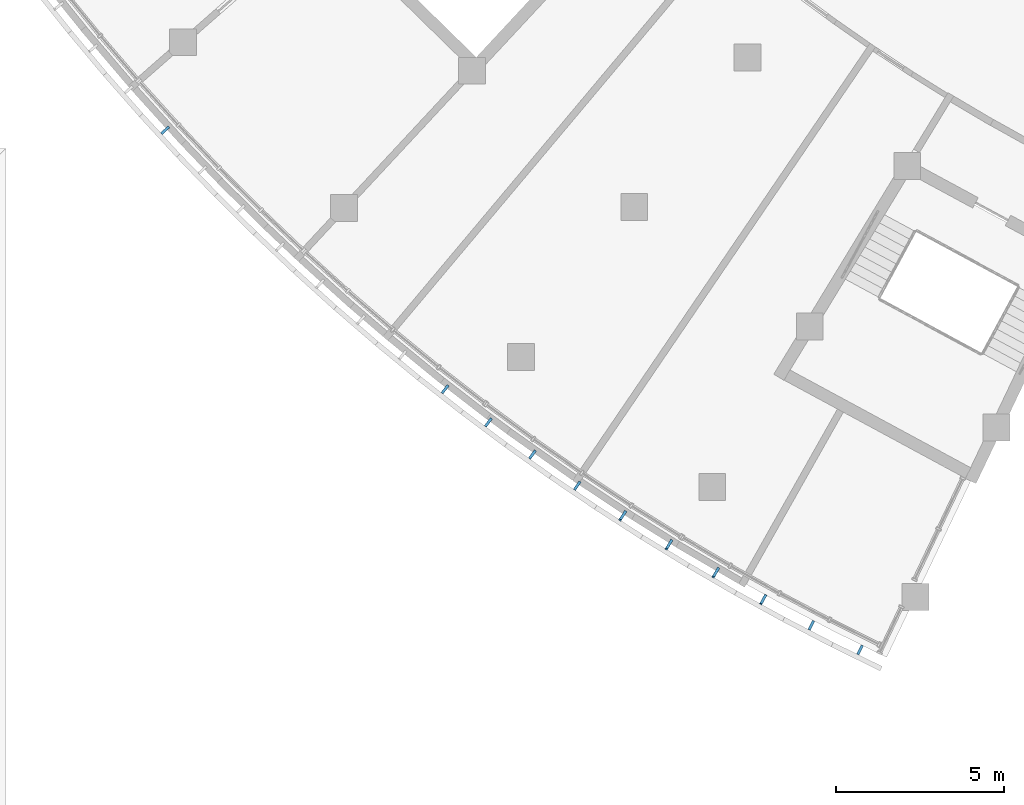
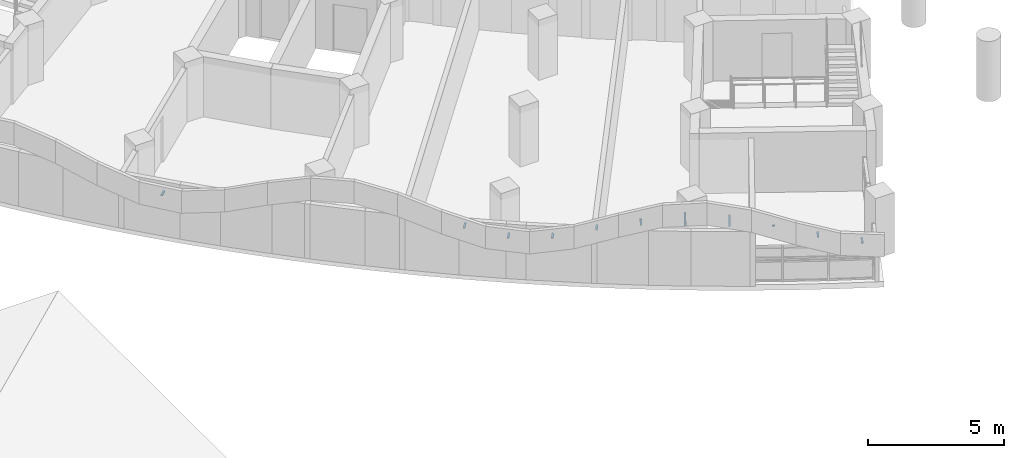
# One storey, part 69 of 89: 11 discrete accessories.
"""IFC4 building model written with IfcOpenShell, lengths in metres."""

from ifc_helpers import new_model, si_unit, direction, frame, origin, origin_2d, place, context, subcontext, project, spatial, rectangle, extrude, material, material_profile, profile_set, type_object, element, save


model = new_model("IFC4")

# Units and contexts
model_context = context("Model", 3, precision=1e-05, world=origin(), true_north=direction((0.0, 1.0)))
body_context = subcontext(model_context, "Body", "Model", "MODEL_VIEW")
ifc_project = project(units=[si_unit("LENGTHUNIT", "METRE"), si_unit("AREAUNIT", "SQUARE_METRE"), si_unit("VOLUMEUNIT", "CUBIC_METRE"), si_unit("PLANEANGLEUNIT", "RADIAN"), si_unit("MASSUNIT", "GRAM", prefix="KILO")], contexts=[model_context])

# Site, building, storey
site_placement = place(None, origin())
site = spatial("IfcSite", under=ifc_project, at=site_placement, CompositionType="ELEMENT")
building_placement = place(site_placement, origin())
building = spatial("IfcBuilding", under=site, at=building_placement, Name="Bougainvillea Quay General Hospital", CompositionType="ELEMENT")
storey_placement = place(building_placement, frame((0.0, 0.0, 9.89990234375)))
storey = spatial("IfcBuildingStorey", under=building, at=storey_placement, Name="L01M", CompositionType="ELEMENT", Elevation=9.89990234375)

# Discrete accessories
ifc_material = material(Name="Stainless steel bracket, grade 316", Category="steel")
ifc_material_profile = material_profile(ifc_material, rectangle(XDim=0.080078125, YDim=0.050048828125, at=origin_2d()))
ifc_profile_set = profile_set([ifc_material_profile], Name="Stainless steel bracket, grade 316")
discrete_accessory_type = type_object("IfcDiscreteAccessoryType", Name="Stainless steel stand-off bracket 80x50", PredefinedType="BRACKET", material=ifc_profile_set)
for number, where, z_axis, x_axis, name in (
    (1, (57.658935546875, 78.641357421875, 1.96435546875), (-0.736174154042, -0.676792150457, 0.0), (0.676792150457, -0.736174154042, 0.0), "Fascia bracket a01 19"),
    (2, (65.98974609375, 70.9345703125, 2.273681640625), (-0.617426284951, -0.786628745122, 0.0), (0.786628745122, -0.617426284951, 0.0), "Fascia bracket a01 26"),
    (3, (67.278076171875, 69.947509765625, 1.9716796875), (-0.598957825591, -0.80078057117, 0.0), (0.80078057117, -0.598957825591, 0.0), "Fascia bracket a01 27"),
    (4, (68.5888671875, 68.990478515625, 2.08740234375), (-0.58016009624, -0.814502463305, 0.0), (0.814502463305, -0.58016009624, 0.0), "Fascia bracket a01 28"),
    (5, (69.921630859375, 68.064208984375, 2.5546875), (-0.561441723053, -0.827516278761, 0.0), (0.827516278761, -0.561441723053, 0.0), "Fascia bracket a01 29"),
):
    element("IfcDiscreteAccessory", number, at=place(storey_placement, frame(where, z_axis=z_axis, x_axis=x_axis)), inside=storey, type_object=discrete_accessory_type, Name=name, PredefinedType="BRACKET", context=body_context, shape_type="SweptSolid", body=[
        extrude(rectangle(XDim=0.080078125, YDim=0.050048828125, at=origin_2d()), origin(), (0.0, 0.0, 1.0), 0.300048828125),
    ])
discrete_accessory_1_placement = place(storey_placement, frame((71.275390625, 67.169189453125, 2.64013671875), z_axis=(-0.293366330527, -0.455710405164, 0.840395277675), x_axis=(0.840834497113, -0.54129229485, 0.0)))
element("IfcDiscreteAccessory", 6, at=discrete_accessory_1_placement, inside=storey, type_object=discrete_accessory_type, Name="Fascia bracket a01 30", PredefinedType="BRACKET", context=body_context, shape_type="SweptSolid", body=[
    extrude(rectangle(XDim=0.080078125, YDim=0.050048828125, at=origin_2d()), origin(), (0.0, 0.0, 1.0), 0.553466796875),
])
discrete_accessory_2_placement = place(storey_placement, frame((72.649658203125, 66.3056640625, 2.64013671875), z_axis=(-0.186548049429, -0.304995874886, 0.933904353538), x_axis=(0.853080554624, -0.521779232361, 0.0)))
element("IfcDiscreteAccessory", 7, at=discrete_accessory_2_placement, inside=storey, type_object=discrete_accessory_type, Name="Fascia bracket a01 31", PredefinedType="BRACKET", context=body_context, shape_type="SweptSolid", body=[
    extrude(rectangle(XDim=0.080078125, YDim=0.050048828125, at=origin_2d()), origin(), (0.0, 0.0, 1.0), 0.8388671875),
])
discrete_accessory_3_placement = place(storey_placement, frame((74.043701171875, 65.47412109375, 2.64013671875), z_axis=(-0.201386153673, -0.346071351457, 0.916339585967), x_axis=(0.86430974307, -0.502959906984, 0.0)))
element("IfcDiscreteAccessory", 8, at=discrete_accessory_3_placement, inside=storey, type_object=discrete_accessory_type, Name="Fascia bracket a01 32", PredefinedType="BRACKET", context=body_context, shape_type="SweptSolid", body=[
    extrude(rectangle(XDim=0.080078125, YDim=0.050048828125, at=origin_2d()), origin(), (0.0, 0.0, 1.0), 0.749267578125),
])
discrete_accessory_4_placement = place(storey_placement, frame((75.456298828125, 64.67529296875, 2.64013671875), z_axis=(-0.382184043981, -0.694645323182, 0.609428610673), x_axis=(0.876147132812, -0.482043775673, 0.0)))
element("IfcDiscreteAccessory", 9, at=discrete_accessory_4_placement, inside=storey, type_object=discrete_accessory_type, Name="Fascia bracket a01 33", PredefinedType="BRACKET", context=body_context, shape_type="SweptSolid", body=[
    extrude(rectangle(XDim=0.080078125, YDim=0.050048828125, at=origin_2d()), origin(), (0.0, 0.0, 1.0), 0.378173828125),
])
for number, where, z_axis, x_axis, name in (
    (10, (76.887451171875, 63.909423828125, 2.316650390625), (-0.462121071218, -0.886816844414, 0.0), (0.886816844414, -0.462121071218, 0.0), "Fascia bracket a01 34"),
    (11, (78.335693359375, 63.177001953125, 1.982421875), (-0.441018877805, -0.897497826972, 0.0), (0.897497826972, -0.441018877805, 0.0), "Fascia bracket a01 35"),
):
    element("IfcDiscreteAccessory", number, at=place(storey_placement, frame(where, z_axis=z_axis, x_axis=x_axis)), inside=storey, type_object=discrete_accessory_type, Name=name, PredefinedType="BRACKET", context=body_context, shape_type="SweptSolid", body=[
        extrude(rectangle(XDim=0.080078125, YDim=0.050048828125, at=origin_2d()), origin(), (0.0, 0.0, 1.0), 0.300048828125),
    ])

save(model, "model.ifc")
